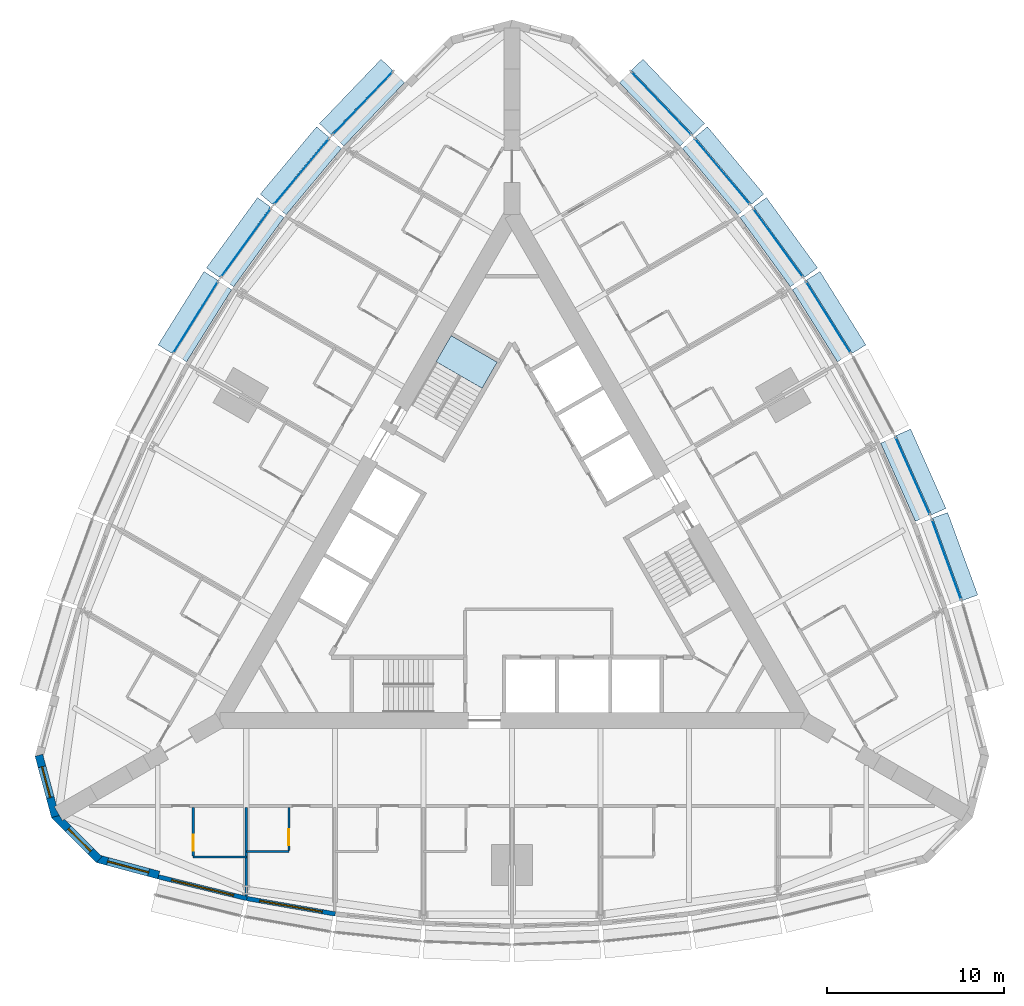
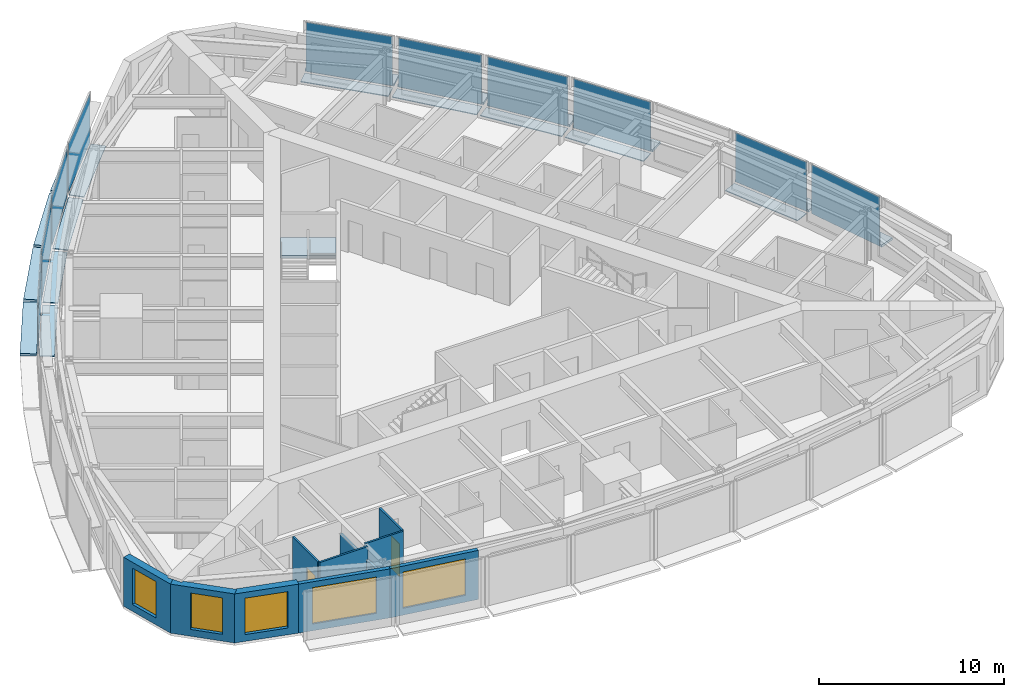
# One storey, part 7 of 14: 29 plates, 10 walls, 5 windows, 2 doors, 1 slab, 7 openings, 11 elements without a shape of their own.
"""IFC4 building model written with IfcOpenShell, lengths in metres."""

import ifcopenshell
import ifcopenshell.guid

model = None  # the IFC model being written
_history = None  # IfcOwnerHistory: only IFC2X3 demands one
_inside = {}  # id of a spatial element -> (the spatial element, [elements in it])
_under = {}  # id of a project, library or spatial element -> (it, [spatial elements below it])
_declared = {}  # id of a project -> (the project, [libraries it declares])
_typed = {}  # id of a type object -> (the type object, [elements of that type])
_made_of = {}  # id of a material, layer set ... -> (it, [elements and type objects made of it])


def new_model(schema):
    """Start an empty IFC model of exactly this schema.

    Asked for "IFC4X3", IfcOpenShell would pick the latest addendum, in which some entities
    have other attributes; the version numbers below select the first issue.
    IFC2X3 requires an IfcOwnerHistory on every rooted entity: one is made here for all.
    """
    global model, _history
    if schema == "IFC4X3":
        model = ifcopenshell.file(schema_version=(4, 3, 0, 0))
    else:
        model = ifcopenshell.file(schema=schema)
    _inside.clear()
    _under.clear()
    _declared.clear()
    _typed.clear()
    _made_of.clear()
    _history = None
    if model.schema == "IFC2X3":
        org = make("IfcOrganization", Name="unknown")
        user = make(
            "IfcPersonAndOrganization",
            ThePerson=make("IfcPerson", FamilyName="unknown"),
            TheOrganization=org,
        )
        app = make(
            "IfcApplication",
            ApplicationDeveloper=org,
            Version="unknown",
            ApplicationFullName="unknown",
            ApplicationIdentifier="unknown",
        )
        _history = make(
            "IfcOwnerHistory",
            OwningUser=user,
            OwningApplication=app,
            ChangeAction="ADDED",
            CreationDate=0,
        )
    return model


def make(cls, **values):
    """One entity of the class cls with the attributes given. An attribute that is None is left unset."""
    return model.create_entity(
        cls, **{name: value for name, value in values.items() if value is not None}
    )


def rooted(cls, **values):
    """An entity with a GlobalId (a new one), such as an element, a storey or a relation."""
    return make(cls, GlobalId=ifcopenshell.guid.new(), OwnerHistory=_history, **values)


def si_unit(unit_type, name, prefix=None):
    """IfcSIUnit, for example si_unit("LENGTHUNIT", "METRE", prefix="MILLI")."""
    return make("IfcSIUnit", UnitType=unit_type, Prefix=prefix, Name=name)


def assignment(units):
    """IfcUnitAssignment: the units of a project."""
    return None if units is None else make("IfcUnitAssignment", Units=units)


def point(xyz):
    """IfcCartesianPoint."""
    return None if xyz is None else make("IfcCartesianPoint", Coordinates=xyz)


def direction(xyz):
    """IfcDirection."""
    return None if xyz is None else make("IfcDirection", DirectionRatios=xyz)


def frame(location, z_axis=None, x_axis=None):
    """IfcAxis2Placement3D, a coordinate frame: its origin and axes. An axis left out is left unset."""
    return make(
        "IfcAxis2Placement3D",
        Location=point(location),
        Axis=direction(z_axis),
        RefDirection=direction(x_axis),
    )


def frame_2d(location, x_axis=None):
    """IfcAxis2Placement2D, a coordinate frame in the plane: its origin and x axis."""
    return make(
        "IfcAxis2Placement2D", Location=point(location), RefDirection=direction(x_axis)
    )


def origin():
    """The frame at (0, 0, 0) with its axes left unset."""
    return frame((0.0, 0.0, 0.0))


def origin_2d():
    """The frame at (0, 0) in the plane with its x axis left unset."""
    return frame_2d((0.0, 0.0))


def place(relative_to, where):
    """IfcLocalPlacement: puts the frame where relative to a parent placement (None: the world)."""
    return make(
        "IfcLocalPlacement", PlacementRelTo=relative_to, RelativePlacement=where
    )


def context(
    kind, dimensions, precision=None, world=None, true_north=None, identifier=None
):
    """IfcGeometricRepresentationContext, for example the 3D "Model" context."""
    return make(
        "IfcGeometricRepresentationContext",
        ContextIdentifier=identifier,
        ContextType=kind,
        CoordinateSpaceDimension=dimensions,
        Precision=precision,
        WorldCoordinateSystem=world,
        TrueNorth=true_north,
    )


def subcontext(parent, identifier, kind, view, scale=None):
    """IfcGeometricRepresentationSubContext, for example "Body" below "Model"."""
    return make(
        "IfcGeometricRepresentationSubContext",
        ContextIdentifier=identifier,
        ContextType=kind,
        ParentContext=parent,
        TargetScale=scale,
        TargetView=view,
    )


def project(units=None, contexts=None):
    """IfcProject with its units and contexts."""
    return rooted(
        "IfcProject",
        Name="project",
        RepresentationContexts=contexts,
        UnitsInContext=assignment(units),
    )


def spatial(cls, under=None, at=None, **own):
    """A site, building, storey or space (cls), placed at a placement, below another one or the project."""
    s = rooted(cls, ObjectPlacement=at, **own)
    if under is not None:
        _under.setdefault(under.id(), (under, []))[1].append(s)
    return s


def polyline(points):
    """IfcPolyline through the points."""
    return make("IfcPolyline", Points=[point(p) for p in points])


def profile(cls, at=None, kind="AREA", **sizes):
    """A parametric profile (cls). Its sizes go by their IFC names, for example OverallWidth=200.0."""
    return make(cls, ProfileType=kind, Position=at, **sizes)


def rectangle(**sizes):
    """IfcRectangleProfileDef."""
    return profile("IfcRectangleProfileDef", **sizes)


def outline(outer, holes=None, kind="AREA"):
    """IfcArbitraryClosedProfileDef: a profile drawn as a closed curve; with holes, ...WithVoids."""
    if holes is None:
        return make("IfcArbitraryClosedProfileDef", ProfileType=kind, OuterCurve=outer)
    return make(
        "IfcArbitraryProfileDefWithVoids",
        ProfileType=kind,
        OuterCurve=outer,
        InnerCurves=holes,
    )


def extrude(swept, where, along, depth):
    """IfcExtrudedAreaSolid: the profile swept, set in the frame where, extruded along a direction by depth."""
    return make(
        "IfcExtrudedAreaSolid",
        SweptArea=swept,
        Position=where,
        ExtrudedDirection=direction(along),
        Depth=depth,
    )


def shape(context_of_items, identifier, shape_type, items):
    """IfcShapeRepresentation: the items that make up one representation, for example the "Body"."""
    return make(
        "IfcShapeRepresentation",
        ContextOfItems=context_of_items,
        RepresentationIdentifier=identifier,
        RepresentationType=shape_type,
        Items=items,
    )


def material(Name=None, Category=None):
    """IfcMaterial."""
    return make("IfcMaterial", Name=Name, Category=Category)


def layer(
    of_material, thickness, ventilated=None, Name=None, Category=None, Priority=None
):
    """IfcMaterialLayer: one layer of a wall or slab, of a material (None: an air gap)."""
    return make(
        "IfcMaterialLayer",
        Material=of_material,
        LayerThickness=thickness,
        IsVentilated=ventilated,
        Name=Name,
        Category=Category,
        Priority=Priority,
    )


def layer_set(layers, Name=None):
    """IfcMaterialLayerSet."""
    return make("IfcMaterialLayerSet", MaterialLayers=layers, LayerSetName=Name)


def made_of(thing, what):
    """Note that an element or type object is made of a material, layer set ...; save() writes the relation."""
    if what is not None:
        _made_of.setdefault(what.id(), (what, []))[1].append(thing)
    return thing


def type_object(cls, material=None, **own):
    """A type object (cls), such as IfcWallType, which elements share."""
    return made_of(rooted(cls, **own), material)


def element(
    cls,
    number,
    at=None,
    inside=None,
    cuts=None,
    type_object=None,
    material=None,
    context=None,
    identifier="Body",
    shape_type=None,
    held_by="IfcProductDefinitionShape",
    body=None,
    shapes=None,
    **own,
):
    """One element of the class cls, such as IfcWall. Its Tag is "e" and its number.

    at: its placement. inside: the storey or other place that contains it. cuts: it is an
    opening in that element (IfcRelVoidsElement). A single representation is given by context,
    identifier, shape_type and body (its items); several are given by shapes. held_by: the class
    of the entity that holds the representations. save() writes the other relations.
    """
    e = rooted(cls, Tag="e%d" % number, ObjectPlacement=at, **own)
    if body is not None:
        shapes = [shape(context, identifier, shape_type, body)]
    if shapes is not None:
        e.Representation = make(held_by, Representations=shapes)
    if inside is not None:
        _inside.setdefault(inside.id(), (inside, []))[1].append(e)
    if cuts is not None:
        rooted(
            "IfcRelVoidsElement", RelatingBuildingElement=cuts, RelatedOpeningElement=e
        )
    if type_object is not None:
        _typed.setdefault(type_object.id(), (type_object, []))[1].append(e)
    return made_of(e, material)


def fill(opening, filler):
    """IfcRelFillsElement: the door or window that sits in an opening."""
    return rooted(
        "IfcRelFillsElement",
        RelatingOpeningElement=opening,
        RelatedBuildingElement=filler,
    )


def aggregate(whole, parts):
    """IfcRelAggregates: a whole, such as a stair, and the parts it consists of."""
    return rooted("IfcRelAggregates", RelatingObject=whole, RelatedObjects=parts)


def save(model, path):
    """Write the relations noted so far, then the file.

    IfcRelAggregates (storeys below a building ...), IfcRelContainedInSpatialStructure (elements
    in a storey), IfcRelDefinesByType, IfcRelAssociatesMaterial and IfcRelDeclares: one each for
    every whole, place, type object, material and project.
    """
    for whole, parts in _under.values():
        aggregate(whole, parts)
    for where, things in _inside.values():
        rooted(
            "IfcRelContainedInSpatialStructure",
            RelatedElements=things,
            RelatingStructure=where,
        )
    for kind, things in _typed.values():
        rooted("IfcRelDefinesByType", RelatedObjects=things, RelatingType=kind)
    for what, things in _made_of.values():
        rooted("IfcRelAssociatesMaterial", RelatedObjects=things, RelatingMaterial=what)
    for by, libraries in _declared.values():
        rooted("IfcRelDeclares", RelatingContext=by, RelatedDefinitions=libraries)
    model.write(path)


model = new_model("IFC4")

# Units and contexts
model_context = context("Model", 3, precision=1e-05, world=origin(), true_north=direction((0.0, 1.0)))
body_context = subcontext(model_context, "Body", "Model", "MODEL_VIEW")
ifc_project = project(units=[si_unit("LENGTHUNIT", "METRE"), si_unit("AREAUNIT", "SQUARE_METRE"), si_unit("VOLUMEUNIT", "CUBIC_METRE"), si_unit("PLANEANGLEUNIT", "RADIAN"), si_unit("MASSUNIT", "GRAM", prefix="KILO")], contexts=[model_context])

# Site, building, storey
site_placement = place(None, origin())
site = spatial("IfcSite", under=ifc_project, at=site_placement, CompositionType="ELEMENT")
building_placement = place(site_placement, origin())
building = spatial("IfcBuilding", under=site, at=building_placement, Name="Trikona Tower", CompositionType="ELEMENT")
storey_placement = place(building_placement, frame((0.0, 0.0, 114.699951171875)))
storey = spatial("IfcBuildingStorey", under=building, at=storey_placement, Name="L29", CompositionType="ELEMENT", Elevation=114.699951171875)

# Plates
ifc_material_1 = material(Name="Aluminium bar grating", Category="aluminium")
ifc_layer_1 = layer(ifc_material_1, 0.050048828125)
ifc_layer_set_1 = layer_set([ifc_layer_1], Name="Cavity catwalk grating")
plate_type_1 = type_object("IfcPlateType", Name="Cavity catwalk grating", PredefinedType="USERDEFINED", material=ifc_layer_set_1)
plate_1_placement = place(storey_placement, frame((22.175048828125, 4.092529296875, -0.0498046875), z_axis=(0.0, 0.0, 1.0), x_axis=(-0.406843467615, 0.913497888809, 0.0)))
element("IfcPlate", 1, at=plate_1_placement, inside=storey, type_object=plate_type_1, Name="Cavity catwalk L29-14", ObjectType="CATWALK GRATING", PredefinedType="USERDEFINED", context=body_context, shape_type="SweptSolid", body=[
    extrude(rectangle(XDim=4.827392578125, YDim=0.830078125, at=origin_2d()), origin(), (0.0, 0.0, 1.0), 0.050048828125),
])
plate_2_placement = place(storey_placement, frame((17.450927734375, 12.978759765625, -0.0498046875), z_axis=(0.0, 0.0, 1.0), x_axis=(-0.529994748414, 0.848000923734, 0.0)))
element("IfcPlate", 2, at=plate_2_placement, inside=storey, type_object=plate_type_1, Name="Cavity catwalk L29-16", ObjectType="CATWALK GRATING", PredefinedType="USERDEFINED", context=body_context, shape_type="SweptSolid", body=[
    extrude(rectangle(XDim=4.802978515625, YDim=0.830078125, at=origin_2d()), origin(), (0.0, 0.0, 1.0), 0.050048828125),
])
plate_3_placement = place(storey_placement, frame((14.6318359375, 17.157958984375, -0.0498046875), z_axis=(0.0, 0.0, 1.0), x_axis=(-0.587686407834, 0.809088799853, 0.0)))
element("IfcPlate", 3, at=plate_3_placement, inside=storey, type_object=plate_type_1, Name="Cavity catwalk L29-17", ObjectType="CATWALK GRATING", PredefinedType="USERDEFINED", context=body_context, shape_type="SweptSolid", body=[
    extrude(rectangle(XDim=4.827392578125, YDim=0.830078125, at=origin_2d()), origin(), (0.0, 0.0, 1.0), 0.050048828125),
])
plate_4_placement = place(storey_placement, frame((11.508056640625, 21.160400390625, -0.0498046875), z_axis=(0.0, 0.0, 1.0), x_axis=(-0.641807063101, 0.766866151133, 0.0)))
element("IfcPlate", 4, at=plate_4_placement, inside=storey, type_object=plate_type_1, Name="Cavity catwalk L29-18", ObjectType="CATWALK GRATING", PredefinedType="USERDEFINED", context=body_context, shape_type="SweptSolid", body=[
    extrude(rectangle(XDim=4.8759765625, YDim=0.830078125, at=origin_2d()), origin(), (0.0, 0.0, 1.0), 0.050048828125),
])
for number, where, z_axis, x_axis, name in (
    (5, (8.080078125, 24.986328125, -0.0498046875), (0.0, 0.0, 1.0), (-0.691723573819, 0.722162376078, 0.0), "Cavity catwalk L29-19"),
    (6, (-8.080078125, 24.986328125, -0.0498046875), (0.0, 0.0, 1.0), (-0.691723573819, -0.722162376078, 0.0), "Cavity catwalk L29-24"),
):
    element("IfcPlate", number, at=place(storey_placement, frame(where, z_axis=z_axis, x_axis=x_axis)), inside=storey, type_object=plate_type_1, Name=name, ObjectType="CATWALK GRATING", PredefinedType="USERDEFINED", context=body_context, shape_type="SweptSolid", body=[
        extrude(rectangle(XDim=4.947998046875, YDim=0.830078125, at=origin_2d()), origin(), (0.0, 0.0, 1.0), 0.050048828125),
    ])
plate_5_placement = place(storey_placement, frame((-11.508056640625, 21.160400390625, -0.0498046875), z_axis=(0.0, 0.0, 1.0), x_axis=(-0.641807063101, -0.766866151133, 0.0)))
element("IfcPlate", 7, at=plate_5_placement, inside=storey, type_object=plate_type_1, Name="Cavity catwalk L29-25", ObjectType="CATWALK GRATING", PredefinedType="USERDEFINED", context=body_context, shape_type="SweptSolid", body=[
    extrude(rectangle(XDim=4.8759765625, YDim=0.830078125, at=origin_2d()), origin(), (0.0, 0.0, 1.0), 0.050048828125),
])
plate_6_placement = place(storey_placement, frame((-14.6318359375, 17.157958984375, -0.0498046875), z_axis=(0.0, 0.0, 1.0), x_axis=(-0.587686407834, -0.809088799853, 0.0)))
element("IfcPlate", 8, at=plate_6_placement, inside=storey, type_object=plate_type_1, Name="Cavity catwalk L29-26", ObjectType="CATWALK GRATING", PredefinedType="USERDEFINED", context=body_context, shape_type="SweptSolid", body=[
    extrude(rectangle(XDim=4.827392578125, YDim=0.830078125, at=origin_2d()), origin(), (0.0, 0.0, 1.0), 0.050048828125),
])
plate_7_placement = place(storey_placement, frame((-17.450927734375, 12.978759765625, -0.0498046875), z_axis=(0.0, 0.0, 1.0), x_axis=(-0.529994748414, -0.848000923734, 0.0)))
element("IfcPlate", 9, at=plate_7_placement, inside=storey, type_object=plate_type_1, Name="Cavity catwalk L29-27", ObjectType="CATWALK GRATING", PredefinedType="USERDEFINED", context=body_context, shape_type="SweptSolid", body=[
    extrude(rectangle(XDim=4.802978515625, YDim=0.830078125, at=origin_2d()), origin(), (0.0, 0.0, 1.0), 0.050048828125),
])

# Curtain wall, plate
ifc_material_2 = material(Name="Aluminium curtain wall system", Category="aluminium")
curtain_wall_type = type_object("IfcCurtainWallType", Name="Curtain wall DS2", PredefinedType="NOTDEFINED", material=ifc_material_2)
curtain_wall_1_placement = place(storey_placement, origin())
curtain_wall_1 = element("IfcCurtainWall", 10, at=curtain_wall_1_placement, inside=storey, type_object=curtain_wall_type, Name="Curtain wall DS2 L29", PredefinedType="NOTDEFINED")
ifc_material_3 = material(Name="Laminated clear glass", Category="glass")
ifc_layer_2 = layer(ifc_material_3, 0.028076171875)
ifc_layer_set_2 = layer_set([ifc_layer_2], Name="Glass panel DS2")
plate_type_2 = type_object("IfcPlateType", Name="Glass panel DS2", PredefinedType="CURTAIN_PANEL", material=ifc_layer_set_2)
plate_8_placement = place(storey_placement, frame((24.53515625, -0.447509765625, 0.080078125), z_axis=(0.0, 0.0, 1.0), x_axis=(-0.343223420143, 0.939253790978, 0.0)))
plate_8 = element("IfcPlate", 11, at=plate_8_placement, type_object=plate_type_2, Name="CW-DS2 panel 1.1", PredefinedType="CURTAIN_PANEL", context=body_context, shape_type="SweptSolid", body=[
    extrude(rectangle(XDim=4.7958984375, YDim=0.028076171875, at=origin_2d()), origin(), (0.0, 0.0, 1.0), 3.239990234375),
])
aggregate(curtain_wall_1, [plate_8])

curtain_wall_2_placement = place(storey_placement, origin())
curtain_wall_2 = element("IfcCurtainWall", 12, at=curtain_wall_2_placement, inside=storey, type_object=curtain_wall_type, Name="Curtain wall DS2 L29", PredefinedType="NOTDEFINED")
plate_9_placement = place(storey_placement, frame((22.6181640625, 4.289794921875, 0.080078125), z_axis=(0.0, 0.0, 1.0), x_axis=(-0.406836013132, 0.913501208767, 0.0)))
plate_9 = element("IfcPlate", 13, at=plate_9_placement, type_object=plate_type_2, Name="CW-DS2 panel 1.1", PredefinedType="CURTAIN_PANEL", context=body_context, shape_type="SweptSolid", body=[
    extrude(rectangle(XDim=4.747314453125, YDim=0.028076171875, at=origin_2d()), origin(), (0.0, 0.0, 1.0), 3.239990234375),
])
aggregate(curtain_wall_2, [plate_9])

curtain_wall_3_placement = place(storey_placement, origin())
curtain_wall_3 = element("IfcCurtainWall", 14, at=curtain_wall_3_placement, inside=storey, type_object=curtain_wall_type, Name="Curtain wall DS2 L29", PredefinedType="NOTDEFINED")
plate_10_placement = place(storey_placement, frame((17.8623046875, 13.23583984375, 0.080078125), z_axis=(0.0, 0.0, 1.0), x_axis=(-0.529998940002, 0.847998304006, 0.0)))
plate_10 = element("IfcPlate", 15, at=plate_10_placement, type_object=plate_type_2, Name="CW-DS2 panel 1.1", PredefinedType="CURTAIN_PANEL", context=body_context, shape_type="SweptSolid", body=[
    extrude(rectangle(XDim=4.72314453125, YDim=0.028076171875, at=origin_2d()), origin(), (0.0, 0.0, 1.0), 3.239990234375),
])
aggregate(curtain_wall_3, [plate_10])

curtain_wall_4_placement = place(storey_placement, origin())
curtain_wall_4 = element("IfcCurtainWall", 16, at=curtain_wall_4_placement, inside=storey, type_object=curtain_wall_type, Name="Curtain wall DS2 L29", PredefinedType="NOTDEFINED")
plate_11_placement = place(storey_placement, frame((15.024169921875, 17.443115234375, 0.080078125), z_axis=(0.0, 0.0, 1.0), x_axis=(-0.587690588313, 0.80908576332, 0.0)))
plate_11 = element("IfcPlate", 17, at=plate_11_placement, type_object=plate_type_2, Name="CW-DS2 panel 1.1", PredefinedType="CURTAIN_PANEL", context=body_context, shape_type="SweptSolid", body=[
    extrude(rectangle(XDim=4.74755859375, YDim=0.028076171875, at=origin_2d()), origin(), (0.0, 0.0, 1.0), 3.239990234375),
])
aggregate(curtain_wall_4, [plate_11])

curtain_wall_5_placement = place(storey_placement, origin())
curtain_wall_5 = element("IfcCurtainWall", 18, at=curtain_wall_5_placement, inside=storey, type_object=curtain_wall_type, Name="Curtain wall DS2 L29", PredefinedType="NOTDEFINED")
plate_12_placement = place(storey_placement, frame((11.8798828125, 21.4716796875, 0.080078125), z_axis=(0.0, 0.0, 1.0), x_axis=(-0.641806433248, 0.766866678271, 0.0)))
plate_12 = element("IfcPlate", 19, at=plate_12_placement, type_object=plate_type_2, Name="CW-DS2 panel 1.1", PredefinedType="CURTAIN_PANEL", context=body_context, shape_type="SweptSolid", body=[
    extrude(rectangle(XDim=4.7958984375, YDim=0.028076171875, at=origin_2d()), origin(), (0.0, 0.0, 1.0), 3.239990234375),
])
aggregate(curtain_wall_5, [plate_12])

curtain_wall_6_placement = place(storey_placement, origin())
curtain_wall_6 = element("IfcCurtainWall", 20, at=curtain_wall_6_placement, inside=storey, type_object=curtain_wall_type, Name="Curtain wall DS2 L29", PredefinedType="NOTDEFINED")
plate_13_placement = place(storey_placement, frame((8.430419921875, 25.32177734375, 0.080078125), z_axis=(0.0, 0.0, 1.0), x_axis=(-0.691727797117, 0.722158330767, 0.0)))
plate_13 = element("IfcPlate", 21, at=plate_13_placement, type_object=plate_type_2, Name="CW-DS2 panel 1.1", PredefinedType="CURTAIN_PANEL", context=body_context, shape_type="SweptSolid", body=[
    extrude(rectangle(XDim=4.867919921875, YDim=0.028076171875, at=origin_2d()), origin(), (0.0, 0.0, 1.0), 3.239990234375),
])
aggregate(curtain_wall_6, [plate_13])

curtain_wall_7_placement = place(storey_placement, origin())
curtain_wall_7 = element("IfcCurtainWall", 22, at=curtain_wall_7_placement, inside=storey, type_object=curtain_wall_type, Name="Curtain wall DS2 L29", PredefinedType="NOTDEFINED")
plate_14_placement = place(storey_placement, frame((-8.430419921875, 25.32177734375, 0.080078125), z_axis=(0.0, 0.0, 1.0), x_axis=(-0.691727797117, -0.722158330767, 0.0)))
plate_14 = element("IfcPlate", 23, at=plate_14_placement, type_object=plate_type_2, Name="CW-DS2 panel 1.1", PredefinedType="CURTAIN_PANEL", context=body_context, shape_type="SweptSolid", body=[
    extrude(rectangle(XDim=4.867919921875, YDim=0.028076171875, at=origin_2d()), origin(), (0.0, 0.0, 1.0), 3.239990234375),
])
aggregate(curtain_wall_7, [plate_14])

curtain_wall_8_placement = place(storey_placement, origin())
curtain_wall_8 = element("IfcCurtainWall", 24, at=curtain_wall_8_placement, inside=storey, type_object=curtain_wall_type, Name="Curtain wall DS2 L29", PredefinedType="NOTDEFINED")
plate_15_placement = place(storey_placement, frame((-11.8798828125, 21.4716796875, 0.080078125), z_axis=(0.0, 0.0, 1.0), x_axis=(-0.641806433248, -0.766866678271, 0.0)))
plate_15 = element("IfcPlate", 25, at=plate_15_placement, type_object=plate_type_2, Name="CW-DS2 panel 1.1", PredefinedType="CURTAIN_PANEL", context=body_context, shape_type="SweptSolid", body=[
    extrude(rectangle(XDim=4.7958984375, YDim=0.028076171875, at=origin_2d()), origin(), (0.0, 0.0, 1.0), 3.239990234375),
])
aggregate(curtain_wall_8, [plate_15])

curtain_wall_9_placement = place(storey_placement, origin())
curtain_wall_9 = element("IfcCurtainWall", 26, at=curtain_wall_9_placement, inside=storey, type_object=curtain_wall_type, Name="Curtain wall DS2 L29", PredefinedType="NOTDEFINED")
plate_16_placement = place(storey_placement, frame((-15.024169921875, 17.443115234375, 0.080078125), z_axis=(0.0, 0.0, 1.0), x_axis=(-0.587690588313, -0.80908576332, 0.0)))
plate_16 = element("IfcPlate", 27, at=plate_16_placement, type_object=plate_type_2, Name="CW-DS2 panel 1.1", PredefinedType="CURTAIN_PANEL", context=body_context, shape_type="SweptSolid", body=[
    extrude(rectangle(XDim=4.74755859375, YDim=0.028076171875, at=origin_2d()), origin(), (0.0, 0.0, 1.0), 3.239990234375),
])
aggregate(curtain_wall_9, [plate_16])

curtain_wall_10_placement = place(storey_placement, origin())
curtain_wall_10 = element("IfcCurtainWall", 28, at=curtain_wall_10_placement, inside=storey, type_object=curtain_wall_type, Name="Curtain wall DS2 L29", PredefinedType="NOTDEFINED")
plate_17_placement = place(storey_placement, frame((-17.8623046875, 13.23583984375, 0.080078125), z_axis=(0.0, 0.0, 1.0), x_axis=(-0.529998940002, -0.847998304006, 0.0)))
plate_17 = element("IfcPlate", 29, at=plate_17_placement, type_object=plate_type_2, Name="CW-DS2 panel 1.1", PredefinedType="CURTAIN_PANEL", context=body_context, shape_type="SweptSolid", body=[
    extrude(rectangle(XDim=4.72314453125, YDim=0.028076171875, at=origin_2d()), origin(), (0.0, 0.0, 1.0), 3.239990234375),
])
aggregate(curtain_wall_10, [plate_17])

# Plates
ifc_material_4 = material(Name="Aluminium plate fin, pale anodised, on stainless steel outriggers", Category="steel")
ifc_layer_3 = layer(ifc_material_4, 0.14990234375)
ifc_layer_set_3 = layer_set([ifc_layer_3], Name="Outer skin fin 900")
plate_type_3 = type_object("IfcPlateType", Name="Outer skin fin 900", PredefinedType="USERDEFINED", material=ifc_layer_set_3)
plate_18_placement = place(storey_placement, frame((25.0234375, -0.26904296875, 0.0), z_axis=(0.0, 0.0, 1.0), x_axis=(-0.343220397324, 0.939254895575, 0.0)))
element("IfcPlate", 30, at=plate_18_placement, inside=storey, type_object=plate_type_3, Name="Outer skin fin L29-13", ObjectType="FIN", PredefinedType="USERDEFINED", context=body_context, shape_type="SweptSolid", body=[
    extrude(rectangle(XDim=4.9560546875, YDim=0.89990234375, at=origin_2d()), origin(), (0.0, 0.0, 1.0), 0.14990234375),
])
plate_19_placement = place(storey_placement, frame((23.09326171875, 4.50146484375, 0.0), z_axis=(0.0, 0.0, 1.0), x_axis=(-0.406843467615, 0.913497888809, 0.0)))
element("IfcPlate", 31, at=plate_19_placement, inside=storey, type_object=plate_type_3, Name="Outer skin fin L29-14", ObjectType="FIN", PredefinedType="USERDEFINED", context=body_context, shape_type="SweptSolid", body=[
    extrude(rectangle(XDim=4.907470703125, YDim=0.89990234375, at=origin_2d()), origin(), (0.0, 0.0, 1.0), 0.14990234375),
])
plate_20_placement = place(storey_placement, frame((18.30322265625, 13.511474609375, 0.0), z_axis=(0.0, 0.0, 1.0), x_axis=(-0.529994748414, 0.848000923734, 0.0)))
element("IfcPlate", 32, at=plate_20_placement, inside=storey, type_object=plate_type_3, Name="Outer skin fin L29-16", ObjectType="FIN", PredefinedType="USERDEFINED", context=body_context, shape_type="SweptSolid", body=[
    extrude(rectangle(XDim=4.883056640625, YDim=0.89990234375, at=origin_2d()), origin(), (0.0, 0.0, 1.0), 0.14990234375),
])
plate_21_placement = place(storey_placement, frame((15.44482421875, 17.74853515625, 0.0), z_axis=(0.0, 0.0, 1.0), x_axis=(-0.587686407834, 0.809088799853, 0.0)))
element("IfcPlate", 33, at=plate_21_placement, inside=storey, type_object=plate_type_3, Name="Outer skin fin L29-17", ObjectType="FIN", PredefinedType="USERDEFINED", context=body_context, shape_type="SweptSolid", body=[
    extrude(rectangle(XDim=4.907470703125, YDim=0.89990234375, at=origin_2d()), origin(), (0.0, 0.0, 1.0), 0.14990234375),
])
plate_22_placement = place(storey_placement, frame((12.27880859375, 21.8056640625, 0.0), z_axis=(0.0, 0.0, 1.0), x_axis=(-0.641807063101, 0.766866151133, 0.0)))
element("IfcPlate", 34, at=plate_22_placement, inside=storey, type_object=plate_type_3, Name="Outer skin fin L29-18", ObjectType="FIN", PredefinedType="USERDEFINED", context=body_context, shape_type="SweptSolid", body=[
    extrude(rectangle(XDim=4.9560546875, YDim=0.89990234375, at=origin_2d()), origin(), (0.0, 0.0, 1.0), 0.14990234375),
])
for number, where, z_axis, x_axis, name in (
    (35, (8.805908203125, 25.681396484375, 0.0), (0.0, 0.0, 1.0), (-0.691723573819, 0.722162376078, 0.0), "Outer skin fin L29-19"),
    (36, (-8.805908203125, 25.681396484375, 0.0), (0.0, 0.0, 1.0), (-0.691723573819, -0.722162376078, 0.0), "Outer skin fin L29-24"),
):
    element("IfcPlate", number, at=place(storey_placement, frame(where, z_axis=z_axis, x_axis=x_axis)), inside=storey, type_object=plate_type_3, Name=name, ObjectType="FIN", PredefinedType="USERDEFINED", context=body_context, shape_type="SweptSolid", body=[
        extrude(rectangle(XDim=5.02783203125, YDim=0.89990234375, at=origin_2d()), origin(), (0.0, 0.0, 1.0), 0.14990234375),
    ])
plate_23_placement = place(storey_placement, frame((-12.27880859375, 21.8056640625, 0.0), z_axis=(0.0, 0.0, 1.0), x_axis=(-0.641807063101, -0.766866151133, 0.0)))
element("IfcPlate", 37, at=plate_23_placement, inside=storey, type_object=plate_type_3, Name="Outer skin fin L29-25", ObjectType="FIN", PredefinedType="USERDEFINED", context=body_context, shape_type="SweptSolid", body=[
    extrude(rectangle(XDim=4.9560546875, YDim=0.89990234375, at=origin_2d()), origin(), (0.0, 0.0, 1.0), 0.14990234375),
])
plate_24_placement = place(storey_placement, frame((-15.44482421875, 17.74853515625, 0.0), z_axis=(0.0, 0.0, 1.0), x_axis=(-0.587686407834, -0.809088799853, 0.0)))
element("IfcPlate", 38, at=plate_24_placement, inside=storey, type_object=plate_type_3, Name="Outer skin fin L29-26", ObjectType="FIN", PredefinedType="USERDEFINED", context=body_context, shape_type="SweptSolid", body=[
    extrude(rectangle(XDim=4.907470703125, YDim=0.89990234375, at=origin_2d()), origin(), (0.0, 0.0, 1.0), 0.14990234375),
])
plate_25_placement = place(storey_placement, frame((-18.30322265625, 13.511474609375, 0.0), z_axis=(0.0, 0.0, 1.0), x_axis=(-0.529994748414, -0.848000923734, 0.0)))
element("IfcPlate", 39, at=plate_25_placement, inside=storey, type_object=plate_type_3, Name="Outer skin fin L29-27", ObjectType="FIN", PredefinedType="USERDEFINED", context=body_context, shape_type="SweptSolid", body=[
    extrude(rectangle(XDim=4.883056640625, YDim=0.89990234375, at=origin_2d()), origin(), (0.0, 0.0, 1.0), 0.14990234375),
])

# Stair, slab
ifc_material_5 = material(Name="Concrete f'c 5000 psi", Category="concrete")
stair_type = type_object("IfcStairType", Name="Core stair", PredefinedType="HALF_TURN_STAIR", material=ifc_material_5)
stair_placement = place(storey_placement, origin())
stair = element("IfcStair", 40, at=stair_placement, inside=storey, type_object=stair_type, Name="Stair C L29", PredefinedType="HALF_TURN_STAIR")
ifc_material_6 = material(Name="Concrete f'c 5000 psi", Category="concrete")
ifc_layer_4 = layer(ifc_material_6, 0.199951171875)
ifc_layer_set_4 = layer_set([ifc_layer_4], Name="Stair landing 200")
slab_type = type_object("IfcSlabType", Name="Stair landing 200", PredefinedType="LANDING", material=ifc_layer_set_4)
slab_placement = place(storey_placement, frame((0.0, 0.0, 1.5)))
slab = element("IfcSlab", 41, at=slab_placement, type_object=slab_type, Name="ST-C landing 2", PredefinedType="LANDING", context=body_context, shape_type="SweptSolid", body=[
    extrude(outline(polyline([(-0.837158203125, 10.702392578125), (-1.688720703125, 9.2275390625), (-4.286865234375, 10.7275390625), (-3.435302734375, 12.202392578125), (-0.837158203125, 10.702392578125)])), origin(), (0.0, 0.0, 1.0), 0.199951171875),
])
aggregate(stair, [slab])

# Wall
ifc_material_7 = material(Name="Metal stud and cement board", Category="gypsum")
ifc_layer_5 = layer(ifc_material_7, 0.1201171875)
ifc_layer_set_5 = layer_set([ifc_layer_5], Name="Bathroom wall 120")
wall_type_1 = type_object("IfcWallType", Name="Bathroom wall 120", PredefinedType="PLUMBINGWALL", material=ifc_layer_set_5)
wall_1_placement = place(storey_placement, frame((-18.0, -17.226318359375, 0.0), z_axis=(0.0, 0.0, 1.0), x_axis=(1.0, 0.0, 0.0)))
element("IfcWall", 42, at=wall_1_placement, inside=storey, type_object=wall_type_1, Name="Bathroom wall 2901", PredefinedType="PLUMBINGWALL", context=body_context, shape_type="SweptSolid", body=[
    extrude(rectangle(XDim=3.0, YDim=0.1201171875, at=frame_2d((1.5, 0.0))), origin(), (0.0, 0.0, 1.0), 3.235107421875),
])

# Wall, opening, door
wall_2_placement = place(storey_placement, frame((-18.0, -14.42626953125, 0.0), z_axis=(0.0, 0.0, 1.0), x_axis=(0.0, -1.0, 0.0)))
wall_2 = element("IfcWall", 43, at=wall_2_placement, inside=storey, type_object=wall_type_1, Name="Bathroom wall 2901", PredefinedType="PLUMBINGWALL", context=body_context, shape_type="SweptSolid", body=[
    extrude(rectangle(XDim=2.739990234375, YDim=0.1201171875, at=frame_2d((1.3701171875, 0.0))), origin(), (0.0, 0.0, 1.0), 3.235107421875),
])
opening_1_placement = place(wall_2_placement, frame((1.550048828125, 0.0, 0.0)))
opening_1 = element("IfcOpeningElement", 44, at=opening_1_placement, cuts=wall_2, Name="Opening D2", PredefinedType="OPENING", context=body_context, shape_type="SweptSolid", body=[
    extrude(rectangle(XDim=0.89990234375, YDim=2.1298828125, at=frame_2d((0.449951171875, 1.06494140625))), frame((0.0, 0.070068359375, 0.0), z_axis=(0.0, -1.0, 0.0), x_axis=(1.0, 0.0, 0.0)), (0.0, 0.0, 1.0), 0.14013671875),
])
ifc_material_8 = material(Name="Steel door frame with solid-core timber leaf", Category="steel")
door_type = type_object("IfcDoorType", Name="Bathroom door 900x2130", OperationType="SLIDING_TO_LEFT", PredefinedType="DOOR", material=ifc_material_8)
door_1_placement = place(opening_1_placement, origin())
door_1 = element("IfcDoor", 45, at=door_1_placement, inside=storey, type_object=door_type, Name="Bathroom door 2901", OperationType="SLIDING_TO_LEFT", OverallHeight=2.1298828125, OverallWidth=0.89990234375, PredefinedType="DOOR", context=body_context, shape_type="SweptSolid", body=[
    extrude(rectangle(XDim=0.89990234375, YDim=2.1298828125, at=frame_2d((0.449951171875, 1.06494140625))), frame((0.0, 0.02490234375, 0.0), z_axis=(0.0, -1.0, 0.0), x_axis=(1.0, 0.0, 0.0)), (0.0, 0.0, 1.0), 0.050048828125),
])
fill(opening_1, door_1)

# Wall
wall_3_placement = place(storey_placement, frame((-15.0, -16.92626953125, 0.0), z_axis=(0.0, 0.0, 1.0), x_axis=(1.0, 0.0, 0.0)))
element("IfcWall", 46, at=wall_3_placement, inside=storey, type_object=wall_type_1, Name="Bathroom wall 2902", PredefinedType="PLUMBINGWALL", context=body_context, shape_type="SweptSolid", body=[
    extrude(rectangle(XDim=2.39990234375, YDim=0.1201171875, at=frame_2d((1.199951171875, 0.0))), origin(), (0.0, 0.0, 1.0), 3.235107421875),
])

# Wall, opening, door
wall_4_placement = place(storey_placement, frame((-12.60009765625, -14.42626953125, 0.0), z_axis=(0.0, 0.0, 1.0), x_axis=(0.0, -1.0, 0.0)))
wall_4 = element("IfcWall", 47, at=wall_4_placement, inside=storey, type_object=wall_type_1, Name="Bathroom wall 2902", PredefinedType="PLUMBINGWALL", context=body_context, shape_type="SweptSolid", body=[
    extrude(rectangle(XDim=2.43994140625, YDim=0.1201171875, at=frame_2d((1.219970703125, 0.0))), origin(), (0.0, 0.0, 1.0), 3.235107421875),
])
opening_2_placement = place(wall_4_placement, frame((1.25, 0.0, 0.0)))
opening_2 = element("IfcOpeningElement", 48, at=opening_2_placement, cuts=wall_4, Name="Opening D2", PredefinedType="OPENING", context=body_context, shape_type="SweptSolid", body=[
    extrude(rectangle(XDim=0.89990234375, YDim=2.1298828125, at=frame_2d((0.449951171875, 1.06494140625))), frame((0.0, 0.070068359375, 0.0), z_axis=(0.0, -1.0, 0.0), x_axis=(1.0, 0.0, 0.0)), (0.0, 0.0, 1.0), 0.14013671875),
])
door_2_placement = place(opening_2_placement, origin())
door_2 = element("IfcDoor", 49, at=door_2_placement, inside=storey, type_object=door_type, Name="Bathroom door 2902", OperationType="SLIDING_TO_LEFT", OverallHeight=2.1298828125, OverallWidth=0.89990234375, PredefinedType="DOOR", context=body_context, shape_type="SweptSolid", body=[
    extrude(rectangle(XDim=0.89990234375, YDim=2.1298828125, at=frame_2d((0.449951171875, 1.06494140625))), frame((0.0, 0.02490234375, 0.0), z_axis=(0.0, -1.0, 0.0), x_axis=(1.0, 0.0, 0.0)), (0.0, 0.0, 1.0), 0.050048828125),
])
fill(opening_2, door_2)

# Wall, opening, window
ifc_material_9 = material(Name="Brick-faced precast concrete", Category="masonry")
ifc_layer_6 = layer(ifc_material_9, 0.449951171875)
ifc_layer_set_6 = layer_set([ifc_layer_6], Name="Brick-faced corner wall 450")
wall_type_2 = type_object("IfcWallType", Name="Brick-faced corner wall 450", PredefinedType="SOLIDWALL", material=ifc_layer_set_6)
wall_5_placement = place(storey_placement, frame((-26.7109375, -11.48876953125, 0.0), z_axis=(0.0, 0.0, 1.0), x_axis=(0.258823421857, -0.965924653531, 0.0)))
wall_5 = element("IfcWall", 50, at=wall_5_placement, inside=storey, type_object=wall_type_2, Name="External wall L29-33", PredefinedType="SOLIDWALL", context=body_context, shape_type="SweptSolid", body=[
    extrude(outline(polyline([(3.58642578125, 0.22509765625), (3.52685546875, 0.22509765625), (3.03515625, 0.09326171875), (3.0, 0.22509765625), (0.0, 0.22509765625), (0.0, -0.22509765625), (3.58642578125, -0.22509765625), (3.58642578125, 0.22509765625)])), origin(), (0.0, 0.0, 1.0), 3.235107421875),
])
opening_3_placement = place(wall_5_placement, frame((0.6748046875, 0.0, 0.449951171875)))
opening_3 = element("IfcOpeningElement", 51, at=opening_3_placement, cuts=wall_5, Name="Opening W1824", PredefinedType="OPENING", context=body_context, shape_type="SweptSolid", body=[
    extrude(rectangle(XDim=1.800048828125, YDim=2.39990234375, at=frame_2d((0.89990234375, 1.199951171875))), frame((0.0, 0.23486328125, 0.0), z_axis=(0.0, -1.0, 0.0), x_axis=(1.0, 0.0, 0.0)), (0.0, 0.0, 1.0), 0.469970703125),
])
ifc_material_10 = material(Name="Aluminium-framed double glazing", Category="aluminium")
window_type_1 = type_object("IfcWindowType", Name="Window 1800x2400", PartitioningType="SINGLE_PANEL", PredefinedType="WINDOW", material=ifc_material_10)
window_1_placement = place(opening_3_placement, origin())
window_1 = element("IfcWindow", 52, at=window_1_placement, inside=storey, type_object=window_type_1, Name="Window 2919", OverallHeight=2.39990234375, OverallWidth=1.800048828125, PartitioningType="SINGLE_PANEL", PredefinedType="WINDOW", context=body_context, shape_type="SweptSolid", body=[
    extrude(rectangle(XDim=1.800048828125, YDim=2.39990234375, at=frame_2d((0.89990234375, 1.199951171875))), frame((0.0, 0.030029296875, 0.0), z_axis=(0.0, -1.0, 0.0), x_axis=(1.0, 0.0, 0.0)), (0.0, 0.0, 1.0), 0.06005859375),
])
fill(opening_3, window_1)

wall_6_placement = place(storey_placement, frame((-25.8408203125, -14.85205078125, 0.0), z_axis=(0.0, 0.0, 1.0), x_axis=(0.707106781187, -0.707106781187, 0.0)))
wall_6 = element("IfcWall", 53, at=wall_6_placement, inside=storey, type_object=wall_type_2, Name="External wall L29-34", PredefinedType="SOLIDWALL", context=body_context, shape_type="SweptSolid", body=[
    extrude(outline(polyline([(3.586181640625, 0.22509765625), (0.58642578125, 0.22509765625), (0.551025390625, 0.09326171875), (0.05908203125, 0.22509765625), (0.0, 0.22509765625), (0.0, -0.22509765625), (3.586181640625, -0.22509765625), (3.586181640625, 0.22509765625)])), origin(), (0.0, 0.0, 1.0), 3.235107421875),
])
opening_4_placement = place(wall_6_placement, frame((1.111328125, 0.0, 0.449951171875)))
opening_4 = element("IfcOpeningElement", 54, at=opening_4_placement, cuts=wall_6, Name="Opening W1824", PredefinedType="OPENING", context=body_context, shape_type="SweptSolid", body=[
    extrude(rectangle(XDim=1.800048828125, YDim=2.39990234375, at=frame_2d((0.89990234375, 1.199951171875))), frame((0.0, 0.23486328125, 0.0), z_axis=(0.0, -1.0, 0.0), x_axis=(1.0, 0.0, 0.0)), (0.0, 0.0, 1.0), 0.469970703125),
])
window_2_placement = place(opening_4_placement, origin())
window_2 = element("IfcWindow", 55, at=window_2_placement, inside=storey, type_object=window_type_1, Name="Window 2901", OverallHeight=2.39990234375, OverallWidth=1.800048828125, PartitioningType="SINGLE_PANEL", PredefinedType="WINDOW", context=body_context, shape_type="SweptSolid", body=[
    extrude(rectangle(XDim=1.800048828125, YDim=2.39990234375, at=frame_2d((0.89990234375, 1.199951171875))), frame((0.0, 0.030029296875, 0.0), z_axis=(0.0, -1.0, 0.0), x_axis=(1.0, 0.0, 0.0)), (0.0, 0.0, 1.0), 0.06005859375),
])
fill(opening_4, window_2)

wall_7_placement = place(storey_placement, frame((-23.406005859375, -17.32958984375, 0.0), z_axis=(0.0, 0.0, 1.0), x_axis=(0.965924653531, -0.258823421857, 0.0)))
wall_7 = element("IfcWall", 56, at=wall_7_placement, inside=storey, type_object=wall_type_2, Name="External wall L29-35", PredefinedType="SOLIDWALL", context=body_context, shape_type="SweptSolid", body=[
    extrude(rectangle(XDim=3.58642578125, YDim=0.449951171875, at=frame_2d((1.793212890625, 0.0))), origin(), (0.0, 0.0, 1.0), 3.235107421875),
])
opening_5_placement = place(wall_7_placement, frame((0.593017578125, 0.0, 0.449951171875)))
opening_5 = element("IfcOpeningElement", 57, at=opening_5_placement, cuts=wall_7, Name="Opening W2424", PredefinedType="OPENING", context=body_context, shape_type="SweptSolid", body=[
    extrude(rectangle(XDim=2.39990234375, YDim=2.39990234375, at=frame_2d((1.199951171875, 1.199951171875))), frame((0.0, 0.23486328125, 0.0), z_axis=(0.0, -1.0, 0.0), x_axis=(1.0, 0.0, 0.0)), (0.0, 0.0, 1.0), 0.469970703125),
])
ifc_material_11 = material(Name="Aluminium-framed double glazing", Category="aluminium")
window_type_2 = type_object("IfcWindowType", Name="Window 2400x2400", PartitioningType="SINGLE_PANEL", PredefinedType="WINDOW", material=ifc_material_11)
window_3_placement = place(opening_5_placement, origin())
window_3 = element("IfcWindow", 58, at=window_3_placement, inside=storey, type_object=window_type_2, Name="Window 2901", OverallHeight=2.39990234375, OverallWidth=2.39990234375, PartitioningType="SINGLE_PANEL", PredefinedType="WINDOW", context=body_context, shape_type="SweptSolid", body=[
    extrude(rectangle(XDim=2.39990234375, YDim=2.39990234375, at=frame_2d((1.199951171875, 1.199951171875))), frame((0.0, 0.030029296875, 0.0), z_axis=(0.0, -1.0, 0.0), x_axis=(1.0, 0.0, 0.0)), (0.0, 0.0, 1.0), 0.06005859375),
])
fill(opening_5, window_3)

ifc_material_12 = material(Name="Insulated precast concrete spandrel panel", Category="concrete")
ifc_layer_7 = layer(ifc_material_12, 0.25)
ifc_layer_set_7 = layer_set([ifc_layer_7], Name="Inner skin wall 250")
wall_type_3 = type_object("IfcWallType", Name="Inner skin wall 250", PredefinedType="STANDARD", material=ifc_layer_set_7)
wall_8_placement = place(storey_placement, frame((-19.97021484375, -18.353759765625, 0.0), z_axis=(0.0, 0.0, 1.0), x_axis=(0.971270024053, -0.237980126011, 0.0)))
wall_8 = element("IfcWall", 59, at=wall_8_placement, inside=storey, type_object=wall_type_3, Name="External wall L29-00", PredefinedType="STANDARD", context=body_context, shape_type="SweptSolid", body=[
    extrude(rectangle(XDim=5.14794921875, YDim=0.25, at=frame_2d((2.573974609375, 0.0))), origin(), (0.0, 0.0, 1.0), 3.235107421875),
])
opening_6_placement = place(wall_8_placement, frame((0.77392578125, 0.0, 0.449951171875)))
opening_6 = element("IfcOpeningElement", 60, at=opening_6_placement, cuts=wall_8, Name="Opening W3624", PredefinedType="OPENING", context=body_context, shape_type="SweptSolid", body=[
    extrude(rectangle(XDim=3.60009765625, YDim=2.39990234375, at=frame_2d((1.800048828125, 1.199951171875))), frame((0.0, 0.135009765625, 0.0), z_axis=(0.0, -1.0, 0.0), x_axis=(1.0, 0.0, 0.0)), (0.0, 0.0, 1.0), 0.27001953125),
])
ifc_material_13 = material(Name="Aluminium-framed double glazing", Category="aluminium")
window_type_3 = type_object("IfcWindowType", Name="Window 3600x2400", PartitioningType="SINGLE_PANEL", PredefinedType="WINDOW", material=ifc_material_13)
window_4_placement = place(opening_6_placement, origin())
window_4 = element("IfcWindow", 61, at=window_4_placement, inside=storey, type_object=window_type_3, Name="Window 2901", OverallHeight=2.39990234375, OverallWidth=3.60009765625, PartitioningType="SINGLE_PANEL", PredefinedType="WINDOW", context=body_context, shape_type="SweptSolid", body=[
    extrude(rectangle(XDim=3.60009765625, YDim=2.39990234375, at=frame_2d((1.800048828125, 1.199951171875))), frame((0.0, 0.030029296875, 0.0), z_axis=(0.0, -1.0, 0.0), x_axis=(1.0, 0.0, 0.0)), (0.0, 0.0, 1.0), 0.06005859375),
])
fill(opening_6, window_4)

wall_9_placement = place(storey_placement, frame((-14.978515625, -19.5771484375, 0.0), z_axis=(0.0, 0.0, 1.0), x_axis=(0.985030467156, -0.172380331752, 0.0)))
wall_9 = element("IfcWall", 62, at=wall_9_placement, inside=storey, type_object=wall_type_3, Name="External wall L29-01", PredefinedType="STANDARD", context=body_context, shape_type="SweptSolid", body=[
    extrude(rectangle(XDim=5.075927734375, YDim=0.25, at=frame_2d((2.5380859375, 0.0))), origin(), (0.0, 0.0, 1.0), 3.235107421875),
])
opening_7_placement = place(wall_9_placement, frame((0.738037109375, 0.0, 0.449951171875)))
opening_7 = element("IfcOpeningElement", 63, at=opening_7_placement, cuts=wall_9, Name="Opening W3624", PredefinedType="OPENING", context=body_context, shape_type="SweptSolid", body=[
    extrude(rectangle(XDim=3.60009765625, YDim=2.39990234375, at=frame_2d((1.800048828125, 1.199951171875))), frame((0.0, 0.135009765625, 0.0), z_axis=(0.0, -1.0, 0.0), x_axis=(1.0, 0.0, 0.0)), (0.0, 0.0, 1.0), 0.27001953125),
])
window_5_placement = place(opening_7_placement, origin())
window_5 = element("IfcWindow", 64, at=window_5_placement, inside=storey, type_object=window_type_3, Name="Window 2902", OverallHeight=2.39990234375, OverallWidth=3.60009765625, PartitioningType="SINGLE_PANEL", PredefinedType="WINDOW", context=body_context, shape_type="SweptSolid", body=[
    extrude(rectangle(XDim=3.60009765625, YDim=2.39990234375, at=frame_2d((1.800048828125, 1.199951171875))), frame((0.0, 0.030029296875, 0.0), z_axis=(0.0, -1.0, 0.0), x_axis=(1.0, 0.0, 0.0)), (0.0, 0.0, 1.0), 0.06005859375),
])
fill(opening_7, window_5)

# Wall
ifc_material_14 = material(Name="Metal stud and gypsum board, 1-hour acoustic", Category="gypsum")
ifc_layer_8 = layer(ifc_material_14, 0.14990234375)
ifc_layer_set_8 = layer_set([ifc_layer_8], Name="Party wall 150")
wall_type_4 = type_object("IfcWallType", Name="Party wall 150", PredefinedType="PARTITIONING", material=ifc_layer_set_8)
wall_10_placement = place(storey_placement, frame((-15.0, -14.42626953125, 0.0), z_axis=(0.0, 0.0, 1.0), x_axis=(0.0, -1.0, 0.0)))
element("IfcWall", 65, at=wall_10_placement, inside=storey, type_object=wall_type_4, Name="Partition L29 F1 u-15", PredefinedType="PARTITIONING", context=body_context, shape_type="SweptSolid", body=[
    extrude(rectangle(XDim=5.0166015625, YDim=0.14990234375, at=frame_2d((2.50830078125, 0.0))), origin(), (0.0, 0.0, 1.0), 2.38916015625),
])

save(model, "model.ifc")
